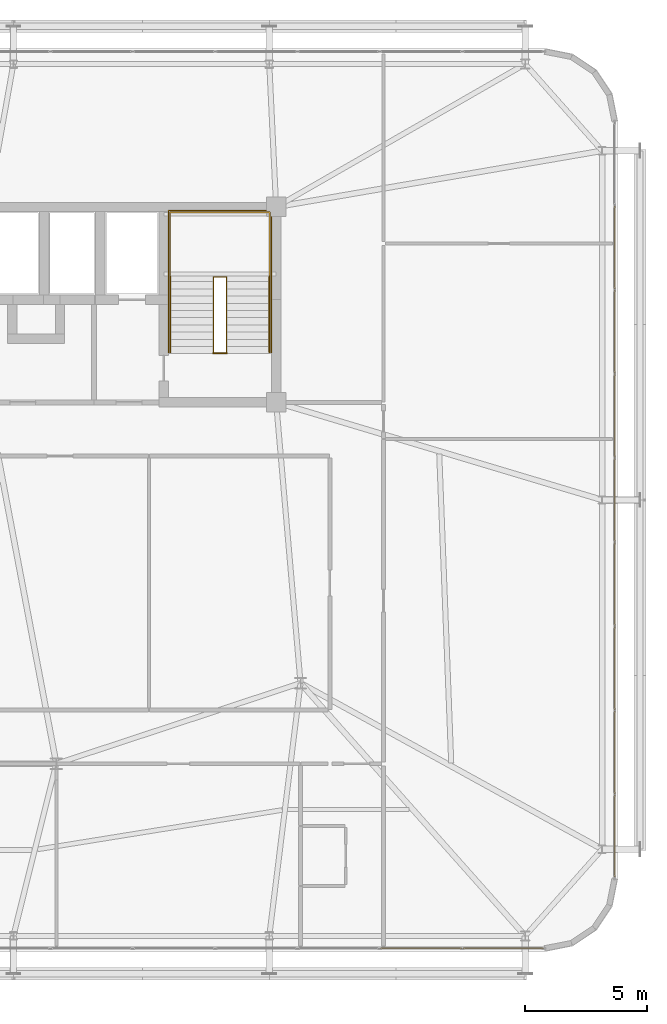
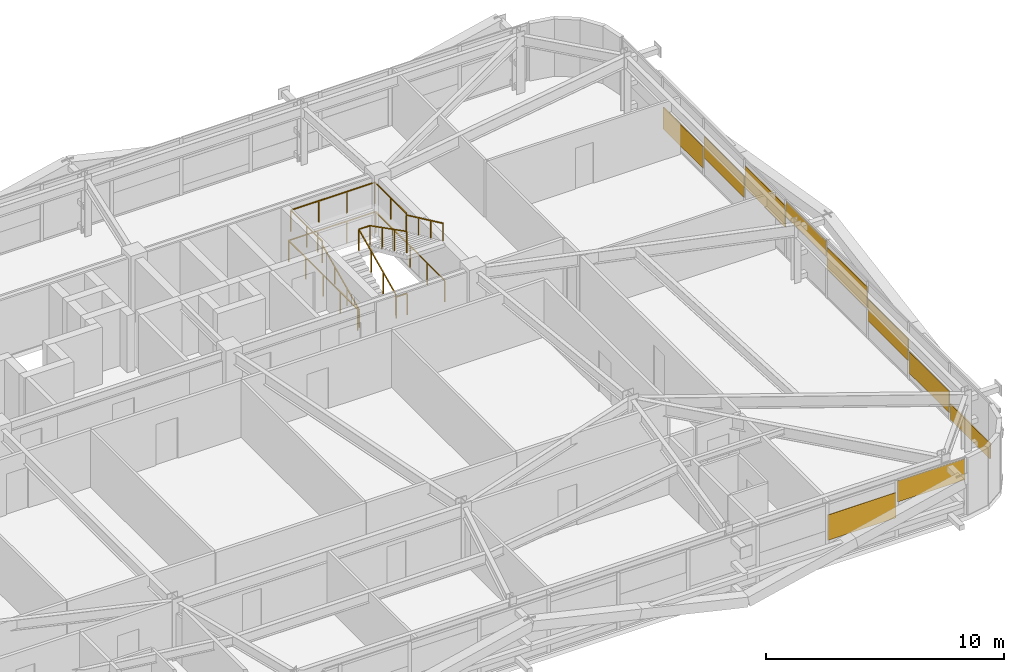
# One storey, part 57 of 58: 10 coverings, 6 railings.
"""IFC4 building model written with IfcOpenShell, lengths in metres."""

from ifc_helpers import new_model, si_unit, direction, frame, origin, origin_2d, place, context, subcontext, project, spatial, rectangle, extrude, source, transform, mapped, material, layer, layer_set, type_object, element, save


model = new_model("IFC4")

# Units and contexts
model_context = context("Model", 3, precision=1e-05, world=origin(), true_north=direction((0.0, 1.0)))
body_context = subcontext(model_context, "Body", "Model", "MODEL_VIEW")
ifc_project = project(units=[si_unit("LENGTHUNIT", "METRE"), si_unit("AREAUNIT", "SQUARE_METRE"), si_unit("VOLUMEUNIT", "CUBIC_METRE"), si_unit("PLANEANGLEUNIT", "RADIAN"), si_unit("MASSUNIT", "GRAM", prefix="KILO")], contexts=[model_context])

# Site, building, storey
site_placement = place(None, origin())
site = spatial("IfcSite", under=ifc_project, at=site_placement, CompositionType="ELEMENT")
building_placement = place(site_placement, origin())
building = spatial("IfcBuilding", under=site, at=building_placement, Name="Taldren Reach Tower", CompositionType="ELEMENT")
storey_placement = place(building_placement, frame((0.0, 0.0, 35.699951171875)))
storey = spatial("IfcBuildingStorey", under=building, at=storey_placement, Name="L10", CompositionType="ELEMENT", Elevation=35.699951171875)

# Railings
ifc_material_1 = material(Name="Steel Gr 350 (C350L0)", Category="steel")
ifc_layer_1 = layer(ifc_material_1, 0.050048828125)
ifc_layer_set_1 = layer_set([ifc_layer_1], Name="Steel Gr 350 (C350L0)")
railing_type_1 = type_object("IfcRailingType", Name="RL-STAIR-GR", PredefinedType="GUARDRAIL", material=ifc_layer_set_1)
railing_1_placement = place(storey_placement, frame((46.659912109375, 29.135009765625, 1.574951171875)))
element("IfcRailing", 1, at=railing_1_placement, inside=storey, type_object=railing_type_1, Name="Stair half-landing perimeter guard ST2-L10", PredefinedType="GUARDRAIL", context=body_context, shape_type="SweptSolid", body=[
    extrude(rectangle(XDim=0.047852, YDim=0.047852, at=origin_2d()), frame((0.0, 0.0, 1.09619140625), z_axis=(0.0, 1.0, 0.0), x_axis=(-1.0, 0.0, 0.0)), (0.0, 0.0, 1.0), 2.64501953125),
    extrude(rectangle(XDim=0.047852, YDim=0.047852, at=origin_2d()), frame((0.0, 2.64501953125, 1.09619140625), z_axis=(1.0, 0.0, 0.0), x_axis=(0.0, 1.0, 0.0)), (0.0, 0.0, 1.0), 4.080078125),
    extrude(rectangle(XDim=0.047852, YDim=0.047852, at=origin_2d()), frame((4.080078125, 2.64501953125, 1.09619140625), z_axis=(0.0, -1.0, 0.0), x_axis=(1.0, 0.0, 0.0)), (0.0, 0.0, 1.0), 2.64501953125),
    extrude(rectangle(XDim=0.041992, YDim=0.041992, at=origin_2d()), origin(), (0.0, 0.0, 1.0), 1.072021484375),
    extrude(rectangle(XDim=0.041992, YDim=0.041992, at=origin_2d()), frame((0.0, 1.322509765625, 0.0)), (0.0, 0.0, 1.0), 1.072021484375),
    extrude(rectangle(XDim=0.041992, YDim=0.041992, at=origin_2d()), frame((0.0, 2.64501953125, 0.0)), (0.0, 0.0, 1.0), 1.072021484375),
    extrude(rectangle(XDim=0.041992, YDim=0.041992, at=origin_2d()), frame((1.360107421875, 2.64501953125, 0.0)), (0.0, 0.0, 1.0), 1.072021484375),
    extrude(rectangle(XDim=0.041992, YDim=0.041992, at=origin_2d()), frame((2.719970703125, 2.64501953125, 0.0)), (0.0, 0.0, 1.0), 1.072021484375),
    extrude(rectangle(XDim=0.041992, YDim=0.041992, at=origin_2d()), frame((4.080078125, 2.64501953125, 0.0)), (0.0, 0.0, 1.0), 1.072021484375),
    extrude(rectangle(XDim=0.041992, YDim=0.041992, at=origin_2d()), frame((4.080078125, 1.322509765625, 0.0)), (0.0, 0.0, 1.0), 1.072021484375),
    extrude(rectangle(XDim=0.041992, YDim=0.041992, at=origin_2d()), frame((4.080078125, 0.0, 0.0)), (0.0, 0.0, 1.0), 1.072021484375),
])
railing_2_placement = place(storey_placement, frame((48.429931640625, 26.050048828125, 0.13134765625)))
element("IfcRailing", 2, at=railing_2_placement, inside=storey, type_object=railing_type_1, Name="Stairwell inner guard ST2-L10", PredefinedType="GUARDRAIL", context=body_context, shape_type="SweptSolid", body=[
    extrude(rectangle(XDim=0.047852, YDim=0.047852, at=origin_2d()), frame((0.0, 0.0, 1.09619140625), z_axis=(0.0, 0.905737652094, 0.423838773095), x_axis=(-1.0, 0.0, 0.0)), (0.0, 0.0, 1.0), 3.406005859375),
    extrude(rectangle(XDim=0.047852, YDim=0.047852, at=origin_2d()), frame((0.0, 3.0849609375, 2.53955078125), z_axis=(1.0, 0.0, 0.0), x_axis=(0.0, 1.0, 0.0)), (0.0, 0.0, 1.0), 0.5400390625),
    extrude(rectangle(XDim=0.047852, YDim=0.047852, at=origin_2d()), frame((0.5400390625, 3.0849609375, 2.53955078125), z_axis=(0.0, -0.890617412389, 0.454753366946), x_axis=(1.0, 0.0, 0.0)), (0.0, 0.0, 1.0), 3.4638671875),
    extrude(rectangle(XDim=0.041992, YDim=0.041992, at=origin_2d()), origin(), (0.0, 0.0, 1.0), 1.072021484375),
    extrude(rectangle(XDim=0.041992, YDim=0.041992, at=origin_2d()), frame((0.0, 1.0283203125, 0.481201171875)), (0.0, 0.0, 1.0), 1.072021484375),
    extrude(rectangle(XDim=0.041992, YDim=0.041992, at=origin_2d()), frame((0.0, 2.056640625, 0.96240234375)), (0.0, 0.0, 1.0), 1.072021484375),
    extrude(rectangle(XDim=0.041992, YDim=0.041992, at=origin_2d()), frame((0.0, 3.0849609375, 1.443603515625)), (0.0, 0.0, 1.0), 1.072021484375),
    extrude(rectangle(XDim=0.041992, YDim=0.041992, at=origin_2d()), frame((0.5400390625, 3.0849609375, 1.443603515625)), (0.0, 0.0, 1.0), 1.072021484375),
    extrude(rectangle(XDim=0.041992, YDim=0.041992, at=origin_2d()), frame((0.5400390625, 2.056640625, 1.96875)), (0.0, 0.0, 1.0), 1.072021484375),
    extrude(rectangle(XDim=0.041992, YDim=0.041992, at=origin_2d()), frame((0.5400390625, 1.0283203125, 2.49365234375)), (0.0, 0.0, 1.0), 1.072021484375),
    extrude(rectangle(XDim=0.041992, YDim=0.041992, at=origin_2d()), frame((0.5400390625, 0.0, 3.018798828125)), (0.0, 0.0, 1.0), 1.072021484375),
])
railing_3_placement = place(storey_placement, frame((48.429931640625, 26.010009765625, 0.0)))
element("IfcRailing", 3, at=railing_3_placement, inside=storey, type_object=railing_type_1, Name="Stairwell landing slot guard ST2-L10", PredefinedType="GUARDRAIL", context=body_context, shape_type="SweptSolid", body=[
    extrude(rectangle(XDim=0.047852, YDim=0.047852, at=origin_2d()), frame((0.0, 0.0, 1.09619140625), z_axis=(1.0, 0.0, 0.0), x_axis=(0.0, 1.0, 0.0)), (0.0, 0.0, 1.0), 0.5400390625),
    extrude(rectangle(XDim=0.041992, YDim=0.041992, at=origin_2d()), origin(), (0.0, 0.0, 1.0), 1.072021484375),
    extrude(rectangle(XDim=0.041992, YDim=0.041992, at=origin_2d()), frame((0.5400390625, 0.0, 0.0)), (0.0, 0.0, 1.0), 1.072021484375),
])
railing_4_placement = place(storey_placement, frame((46.590087890625, 26.050048828125, 0.0)))
element("IfcRailing", 4, at=railing_4_placement, inside=storey, type_object=railing_type_1, Name="Stairwell floor opening guard ST2-L10", PredefinedType="GUARDRAIL", context=body_context, shape_type="SweptSolid", body=[
    extrude(rectangle(XDim=0.047852, YDim=0.047852, at=origin_2d()), frame((0.0, 0.0, 1.09619140625), z_axis=(0.0, 1.0, 0.0), x_axis=(-1.0, 0.0, 0.0)), (0.0, 0.0, 1.0), 5.800048828125),
    extrude(rectangle(XDim=0.047852, YDim=0.047852, at=origin_2d()), frame((0.0, 5.800048828125, 1.09619140625), z_axis=(1.0, 0.0, 0.0), x_axis=(0.0, 1.0, 0.0)), (0.0, 0.0, 1.0), 4.219970703125),
    extrude(rectangle(XDim=0.047852, YDim=0.047852, at=origin_2d()), frame((4.219970703125, 5.800048828125, 1.09619140625), z_axis=(0.0, -1.0, 0.0), x_axis=(1.0, 0.0, 0.0)), (0.0, 0.0, 1.0), 5.800048828125),
    extrude(rectangle(XDim=0.041992, YDim=0.041992, at=origin_2d()), origin(), (0.0, 0.0, 1.0), 1.072021484375),
    extrude(rectangle(XDim=0.041992, YDim=0.041992, at=origin_2d()), frame((0.0, 1.449951171875, 0.0)), (0.0, 0.0, 1.0), 1.072021484375),
    extrude(rectangle(XDim=0.041992, YDim=0.041992, at=origin_2d()), frame((0.0, 2.89990234375, 0.0)), (0.0, 0.0, 1.0), 1.072021484375),
    extrude(rectangle(XDim=0.041992, YDim=0.041992, at=origin_2d()), frame((0.0, 4.35009765625, 0.0)), (0.0, 0.0, 1.0), 1.072021484375),
    extrude(rectangle(XDim=0.041992, YDim=0.041992, at=origin_2d()), frame((0.0, 5.800048828125, 0.0)), (0.0, 0.0, 1.0), 1.072021484375),
    extrude(rectangle(XDim=0.041992, YDim=0.041992, at=origin_2d()), frame((1.40673828125, 5.800048828125, 0.0)), (0.0, 0.0, 1.0), 1.072021484375),
    extrude(rectangle(XDim=0.041992, YDim=0.041992, at=origin_2d()), frame((2.813232421875, 5.800048828125, 0.0)), (0.0, 0.0, 1.0), 1.072021484375),
    extrude(rectangle(XDim=0.041992, YDim=0.041992, at=origin_2d()), frame((4.219970703125, 5.800048828125, 0.0)), (0.0, 0.0, 1.0), 1.072021484375),
    extrude(rectangle(XDim=0.041992, YDim=0.041992, at=origin_2d()), frame((4.219970703125, 4.35009765625, 0.0)), (0.0, 0.0, 1.0), 1.072021484375),
    extrude(rectangle(XDim=0.041992, YDim=0.041992, at=origin_2d()), frame((4.219970703125, 2.89990234375, 0.0)), (0.0, 0.0, 1.0), 1.072021484375),
    extrude(rectangle(XDim=0.041992, YDim=0.041992, at=origin_2d()), frame((4.219970703125, 1.449951171875, 0.0)), (0.0, 0.0, 1.0), 1.072021484375),
    extrude(rectangle(XDim=0.041992, YDim=0.041992, at=origin_2d()), frame((4.219970703125, 0.0, 0.0)), (0.0, 0.0, 1.0), 1.072021484375),
])
ifc_material_2 = material(Name="Stainless Steel Gr 316", Category="steel")
ifc_layer_2 = layer(ifc_material_2, 0.048095703125)
ifc_layer_set_2 = layer_set([ifc_layer_2], Name="Stainless Steel Gr 316")
railing_type_2 = type_object("IfcRailingType", Name="RL-STAIR-HR", PredefinedType="HANDRAIL", material=ifc_layer_set_2)
railing_5_placement = place(storey_placement, frame((46.669921875, 26.050048828125, 0.13134765625)))
element("IfcRailing", 5, at=railing_5_placement, inside=storey, type_object=railing_type_2, Name="Stair flight handrail ST2-L10-1", PredefinedType="HANDRAIL", context=body_context, shape_type="SweptSolid", body=[
    extrude(rectangle(XDim=0.047852, YDim=0.047852, at=origin_2d()), frame((0.0, 0.0, 0.89599609375), z_axis=(0.0, 0.905737652094, 0.423838773095), x_axis=(-1.0, 0.0, 0.0)), (0.0, 0.0, 1.0), 3.406005859375),
    extrude(rectangle(XDim=0.041992, YDim=0.041992, at=origin_2d()), origin(), (0.0, 0.0, 1.0), 0.871826171875),
    extrude(rectangle(XDim=0.041992, YDim=0.041992, at=origin_2d()), frame((0.0, 1.0283203125, 0.481201171875)), (0.0, 0.0, 1.0), 0.871826171875),
    extrude(rectangle(XDim=0.041992, YDim=0.041992, at=origin_2d()), frame((0.0, 2.056640625, 0.96240234375)), (0.0, 0.0, 1.0), 0.871826171875),
    extrude(rectangle(XDim=0.041992, YDim=0.041992, at=origin_2d()), frame((0.0, 3.0849609375, 1.443603515625)), (0.0, 0.0, 1.0), 0.871826171875),
])
railing_6_placement = place(storey_placement, frame((50.72998046875, 29.135009765625, 1.706298828125)))
element("IfcRailing", 6, at=railing_6_placement, inside=storey, type_object=railing_type_2, Name="Stair flight handrail ST2-L10-2", PredefinedType="HANDRAIL", context=body_context, shape_type="SweptSolid", body=[
    extrude(rectangle(XDim=0.047852, YDim=0.047852, at=origin_2d()), frame((0.0, 0.0, 0.89599609375), z_axis=(0.0, -0.905710134349, 0.423897573167), x_axis=(1.0, 0.0, 0.0)), (0.0, 0.0, 1.0), 3.406005859375),
    extrude(rectangle(XDim=0.041992, YDim=0.041992, at=origin_2d()), origin(), (0.0, 0.0, 1.0), 0.871826171875),
    extrude(rectangle(XDim=0.041992, YDim=0.041992, at=origin_2d()), frame((0.0, -1.0283203125, 0.481201171875)), (0.0, 0.0, 1.0), 0.871826171875),
    extrude(rectangle(XDim=0.041992, YDim=0.041992, at=origin_2d()), frame((0.0, -2.056640625, 0.962646484375)), (0.0, 0.0, 1.0), 0.871826171875),
    extrude(rectangle(XDim=0.041992, YDim=0.041992, at=origin_2d()), frame((0.0, -3.0849609375, 1.44384765625)), (0.0, 0.0, 1.0), 0.871826171875),
])

# Coverings
ifc_material_3 = material(Name="Pale Champagne Fluoropolymer Aluminium Spandrel Cladding", Category="aluminium")
ifc_layer_3 = layer(ifc_material_3, 0.0439453125)
ifc_layer_set_3 = layer_set([ifc_layer_3], Name="Pale Champagne Fluoropolymer Aluminium Spandrel Cladding")
covering_type = type_object("IfcCoveringType", Name="CV-CLAD-044", PredefinedType="CLADDING", material=ifc_layer_set_3)
shared_shape_1 = source(origin(), body_context, "Body", "SweptSolid", [
    extrude(rectangle(XDim=3.277587890625, YDim=0.0439453125, at=origin_2d()), origin(), (0.0, 0.0, 1.0), 1.081298828125),
])
covering_1_placement = place(storey_placement, frame((60.296142578125, 1.639892578125, 1.7939453125), z_axis=(0.0, 0.0, 1.0), x_axis=(1.0, 0.0, 0.0)))
element("IfcCovering", 7, at=covering_1_placement, inside=storey, type_object=covering_type, Name="Diagrid closure cladding strip CW-2 panel 16.1 1", PredefinedType="CLADDING", context=body_context, shape_type="MappedRepresentation", body=[
    mapped(shared_shape_1, transform((0.0, 0.0, 0.0), scale=1.0)),
])
shared_shape_2 = source(origin(), body_context, "Body", "SweptSolid", [
    extrude(rectangle(XDim=3.31005859375, YDim=0.0439453125, at=origin_2d()), origin(), (0.0, 0.0, 1.0), 1.301025390625),
])
covering_2_placement = place(storey_placement, frame((56.9375, 1.639892578125, 1.01123046875), z_axis=(0.0, 0.0, 1.0), x_axis=(1.0, 0.0, 0.0)))
element("IfcCovering", 8, at=covering_2_placement, inside=storey, type_object=covering_type, Name="Diagrid closure cladding strip CW-2 panel 15.1 1", PredefinedType="CLADDING", context=body_context, shape_type="MappedRepresentation", body=[
    mapped(shared_shape_2, transform((0.0, 0.0, 0.0), scale=1.0)),
])
shared_shape_3 = source(origin(), body_context, "Body", "SweptSolid", [
    extrude(rectangle(XDim=3.37939453125, YDim=0.0439453125, at=origin_2d()), origin(), (0.0, 0.0, 1.0), 1.1015625),
])
for number, where, z_axis, x_axis, name in (
    (9, (64.860107421875, 9.666748046875, 0.34326171875), (0.0, 0.0, 1.0), (0.0, 1.0, 0.0), "Diagrid closure cladding strip CW-2 panel 2.1 1"),
    (10, (64.860107421875, 13.111083984375, 0.9287109375), (0.0, 0.0, 1.0), (0.0, 1.0, 0.0), "Diagrid closure cladding strip CW-2 panel 3.1 1"),
    (11, (64.860107421875, 16.5556640625, 1.513916015625), (0.0, 0.0, 1.0), (0.0, 1.0, 0.0), "Diagrid closure cladding strip CW-2 panel 4.1 1"),
    (12, (64.860107421875, 23.4443359375, 1.513916015625), (0.0, 0.0, 1.0), (0.0, 1.0, 0.0), "Diagrid closure cladding strip CW-2 panel 6.1 1"),
    (13, (64.860107421875, 26.888916015625, 0.9287109375), (0.0, 0.0, 1.0), (0.0, 1.0, 0.0), "Diagrid closure cladding strip CW-2 panel 7.1 1"),
    (14, (64.860107421875, 30.333251953125, 0.34326171875), (0.0, 0.0, 1.0), (0.0, 1.0, 0.0), "Diagrid closure cladding strip CW-2 panel 8.1 1"),
):
    element("IfcCovering", number, at=place(storey_placement, frame(where, z_axis=z_axis, x_axis=x_axis)), inside=storey, type_object=covering_type, Name=name, PredefinedType="CLADDING", context=body_context, shape_type="MappedRepresentation", body=[
        mapped(shared_shape_3, transform((0.0, 0.0, 0.0), scale=1.0)),
    ])
shared_shape_4 = source(origin(), body_context, "Body", "SweptSolid", [
    extrude(rectangle(XDim=3.346923828125, YDim=0.0439453125, at=origin_2d()), origin(), (0.0, 0.0, 1.0), 0.804443359375),
])
covering_3_placement = place(storey_placement, frame((64.860107421875, 6.238525390625, 0.05517578125), z_axis=(0.0, 0.0, 1.0), x_axis=(0.0, 1.0, 0.0)))
element("IfcCovering", 15, at=covering_3_placement, inside=storey, type_object=covering_type, Name="Diagrid closure cladding strip CW-2 panel 1.1 1", PredefinedType="CLADDING", context=body_context, shape_type="MappedRepresentation", body=[
    mapped(shared_shape_4, transform((0.0, 0.0, 0.0), scale=1.0)),
])
shared_shape_5 = source(origin(), body_context, "Body", "SweptSolid", [
    extrude(rectangle(XDim=3.37939453125, YDim=0.0439453125, at=origin_2d()), origin(), (0.0, 0.0, 1.0), 0.77587890625),
])
covering_4_placement = place(storey_placement, frame((64.860107421875, 20.0, 2.09912109375), z_axis=(0.0, 0.0, 1.0), x_axis=(0.0, 1.0, 0.0)))
element("IfcCovering", 16, at=covering_4_placement, inside=storey, type_object=covering_type, Name="Diagrid closure cladding strip CW-2 panel 5.1 1", PredefinedType="CLADDING", context=body_context, shape_type="MappedRepresentation", body=[
    mapped(shared_shape_5, transform((0.0, 0.0, 0.0), scale=1.0)),
])

save(model, "model.ifc")
